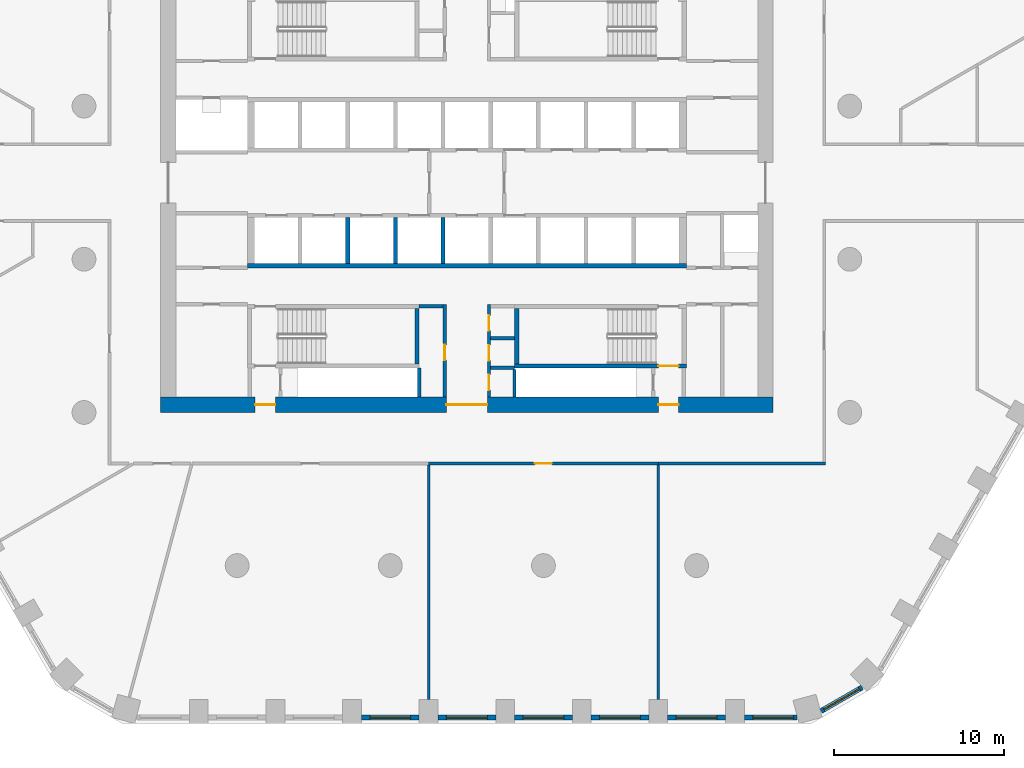
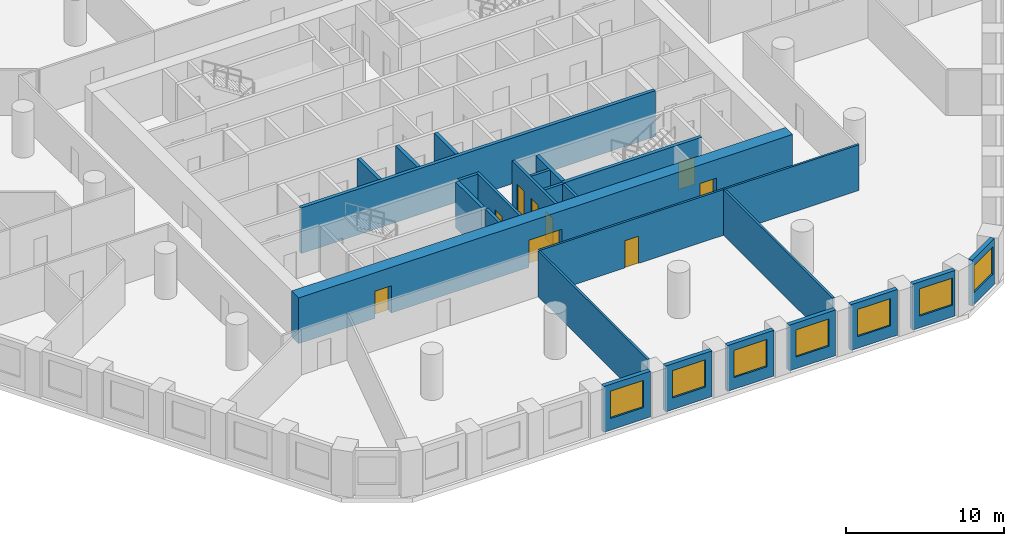
# One storey, part 3 of 10: 26 walls, 9 doors, 7 windows, 16 openings.
"""IFC4 building model written with IfcOpenShell, lengths in metres."""

import ifcopenshell
import ifcopenshell.guid

model = None  # the IFC model being written
_history = None  # IfcOwnerHistory: only IFC2X3 demands one
_inside = {}  # id of a spatial element -> (the spatial element, [elements in it])
_under = {}  # id of a project, library or spatial element -> (it, [spatial elements below it])
_declared = {}  # id of a project -> (the project, [libraries it declares])
_typed = {}  # id of a type object -> (the type object, [elements of that type])
_made_of = {}  # id of a material, layer set ... -> (it, [elements and type objects made of it])


def new_model(schema):
    """Start an empty IFC model of exactly this schema.

    Asked for "IFC4X3", IfcOpenShell would pick the latest addendum, in which some entities
    have other attributes; the version numbers below select the first issue.
    IFC2X3 requires an IfcOwnerHistory on every rooted entity: one is made here for all.
    """
    global model, _history
    if schema == "IFC4X3":
        model = ifcopenshell.file(schema_version=(4, 3, 0, 0))
    else:
        model = ifcopenshell.file(schema=schema)
    _inside.clear()
    _under.clear()
    _declared.clear()
    _typed.clear()
    _made_of.clear()
    _history = None
    if model.schema == "IFC2X3":
        org = make("IfcOrganization", Name="unknown")
        user = make(
            "IfcPersonAndOrganization",
            ThePerson=make("IfcPerson", FamilyName="unknown"),
            TheOrganization=org,
        )
        app = make(
            "IfcApplication",
            ApplicationDeveloper=org,
            Version="unknown",
            ApplicationFullName="unknown",
            ApplicationIdentifier="unknown",
        )
        _history = make(
            "IfcOwnerHistory",
            OwningUser=user,
            OwningApplication=app,
            ChangeAction="ADDED",
            CreationDate=0,
        )
    return model


def make(cls, **values):
    """One entity of the class cls with the attributes given. An attribute that is None is left unset."""
    return model.create_entity(
        cls, **{name: value for name, value in values.items() if value is not None}
    )


def rooted(cls, **values):
    """An entity with a GlobalId (a new one), such as an element, a storey or a relation."""
    return make(cls, GlobalId=ifcopenshell.guid.new(), OwnerHistory=_history, **values)


def si_unit(unit_type, name, prefix=None):
    """IfcSIUnit, for example si_unit("LENGTHUNIT", "METRE", prefix="MILLI")."""
    return make("IfcSIUnit", UnitType=unit_type, Prefix=prefix, Name=name)


def assignment(units):
    """IfcUnitAssignment: the units of a project."""
    return None if units is None else make("IfcUnitAssignment", Units=units)


def point(xyz):
    """IfcCartesianPoint."""
    return None if xyz is None else make("IfcCartesianPoint", Coordinates=xyz)


def direction(xyz):
    """IfcDirection."""
    return None if xyz is None else make("IfcDirection", DirectionRatios=xyz)


def frame(location, z_axis=None, x_axis=None):
    """IfcAxis2Placement3D, a coordinate frame: its origin and axes. An axis left out is left unset."""
    return make(
        "IfcAxis2Placement3D",
        Location=point(location),
        Axis=direction(z_axis),
        RefDirection=direction(x_axis),
    )


def frame_2d(location, x_axis=None):
    """IfcAxis2Placement2D, a coordinate frame in the plane: its origin and x axis."""
    return make(
        "IfcAxis2Placement2D", Location=point(location), RefDirection=direction(x_axis)
    )


def origin():
    """The frame at (0, 0, 0) with its axes left unset."""
    return frame((0.0, 0.0, 0.0))


def place(relative_to, where):
    """IfcLocalPlacement: puts the frame where relative to a parent placement (None: the world)."""
    return make(
        "IfcLocalPlacement", PlacementRelTo=relative_to, RelativePlacement=where
    )


def context(
    kind, dimensions, precision=None, world=None, true_north=None, identifier=None
):
    """IfcGeometricRepresentationContext, for example the 3D "Model" context."""
    return make(
        "IfcGeometricRepresentationContext",
        ContextIdentifier=identifier,
        ContextType=kind,
        CoordinateSpaceDimension=dimensions,
        Precision=precision,
        WorldCoordinateSystem=world,
        TrueNorth=true_north,
    )


def subcontext(parent, identifier, kind, view, scale=None):
    """IfcGeometricRepresentationSubContext, for example "Body" below "Model"."""
    return make(
        "IfcGeometricRepresentationSubContext",
        ContextIdentifier=identifier,
        ContextType=kind,
        ParentContext=parent,
        TargetScale=scale,
        TargetView=view,
    )


def project(units=None, contexts=None):
    """IfcProject with its units and contexts."""
    return rooted(
        "IfcProject",
        Name="project",
        RepresentationContexts=contexts,
        UnitsInContext=assignment(units),
    )


def spatial(cls, under=None, at=None, **own):
    """A site, building, storey or space (cls), placed at a placement, below another one or the project."""
    s = rooted(cls, ObjectPlacement=at, **own)
    if under is not None:
        _under.setdefault(under.id(), (under, []))[1].append(s)
    return s


def polyline(points):
    """IfcPolyline through the points."""
    return make("IfcPolyline", Points=[point(p) for p in points])


def profile(cls, at=None, kind="AREA", **sizes):
    """A parametric profile (cls). Its sizes go by their IFC names, for example OverallWidth=200.0."""
    return make(cls, ProfileType=kind, Position=at, **sizes)


def rectangle(**sizes):
    """IfcRectangleProfileDef."""
    return profile("IfcRectangleProfileDef", **sizes)


def outline(outer, holes=None, kind="AREA"):
    """IfcArbitraryClosedProfileDef: a profile drawn as a closed curve; with holes, ...WithVoids."""
    if holes is None:
        return make("IfcArbitraryClosedProfileDef", ProfileType=kind, OuterCurve=outer)
    return make(
        "IfcArbitraryProfileDefWithVoids",
        ProfileType=kind,
        OuterCurve=outer,
        InnerCurves=holes,
    )


def extrude(swept, where, along, depth):
    """IfcExtrudedAreaSolid: the profile swept, set in the frame where, extruded along a direction by depth."""
    return make(
        "IfcExtrudedAreaSolid",
        SweptArea=swept,
        Position=where,
        ExtrudedDirection=direction(along),
        Depth=depth,
    )


def shape(context_of_items, identifier, shape_type, items):
    """IfcShapeRepresentation: the items that make up one representation, for example the "Body"."""
    return make(
        "IfcShapeRepresentation",
        ContextOfItems=context_of_items,
        RepresentationIdentifier=identifier,
        RepresentationType=shape_type,
        Items=items,
    )


def material(Name=None, Category=None):
    """IfcMaterial."""
    return make("IfcMaterial", Name=Name, Category=Category)


def layer(
    of_material, thickness, ventilated=None, Name=None, Category=None, Priority=None
):
    """IfcMaterialLayer: one layer of a wall or slab, of a material (None: an air gap)."""
    return make(
        "IfcMaterialLayer",
        Material=of_material,
        LayerThickness=thickness,
        IsVentilated=ventilated,
        Name=Name,
        Category=Category,
        Priority=Priority,
    )


def layer_set(layers, Name=None):
    """IfcMaterialLayerSet."""
    return make("IfcMaterialLayerSet", MaterialLayers=layers, LayerSetName=Name)


def made_of(thing, what):
    """Note that an element or type object is made of a material, layer set ...; save() writes the relation."""
    if what is not None:
        _made_of.setdefault(what.id(), (what, []))[1].append(thing)
    return thing


def type_object(cls, material=None, **own):
    """A type object (cls), such as IfcWallType, which elements share."""
    return made_of(rooted(cls, **own), material)


def element(
    cls,
    number,
    at=None,
    inside=None,
    cuts=None,
    type_object=None,
    material=None,
    context=None,
    identifier="Body",
    shape_type=None,
    held_by="IfcProductDefinitionShape",
    body=None,
    shapes=None,
    **own,
):
    """One element of the class cls, such as IfcWall. Its Tag is "e" and its number.

    at: its placement. inside: the storey or other place that contains it. cuts: it is an
    opening in that element (IfcRelVoidsElement). A single representation is given by context,
    identifier, shape_type and body (its items); several are given by shapes. held_by: the class
    of the entity that holds the representations. save() writes the other relations.
    """
    e = rooted(cls, Tag="e%d" % number, ObjectPlacement=at, **own)
    if body is not None:
        shapes = [shape(context, identifier, shape_type, body)]
    if shapes is not None:
        e.Representation = make(held_by, Representations=shapes)
    if inside is not None:
        _inside.setdefault(inside.id(), (inside, []))[1].append(e)
    if cuts is not None:
        rooted(
            "IfcRelVoidsElement", RelatingBuildingElement=cuts, RelatedOpeningElement=e
        )
    if type_object is not None:
        _typed.setdefault(type_object.id(), (type_object, []))[1].append(e)
    return made_of(e, material)


def fill(opening, filler):
    """IfcRelFillsElement: the door or window that sits in an opening."""
    return rooted(
        "IfcRelFillsElement",
        RelatingOpeningElement=opening,
        RelatedBuildingElement=filler,
    )


def aggregate(whole, parts):
    """IfcRelAggregates: a whole, such as a stair, and the parts it consists of."""
    return rooted("IfcRelAggregates", RelatingObject=whole, RelatedObjects=parts)


def save(model, path):
    """Write the relations noted so far, then the file.

    IfcRelAggregates (storeys below a building ...), IfcRelContainedInSpatialStructure (elements
    in a storey), IfcRelDefinesByType, IfcRelAssociatesMaterial and IfcRelDeclares: one each for
    every whole, place, type object, material and project.
    """
    for whole, parts in _under.values():
        aggregate(whole, parts)
    for where, things in _inside.values():
        rooted(
            "IfcRelContainedInSpatialStructure",
            RelatedElements=things,
            RelatingStructure=where,
        )
    for kind, things in _typed.values():
        rooted("IfcRelDefinesByType", RelatedObjects=things, RelatingType=kind)
    for what, things in _made_of.values():
        rooted("IfcRelAssociatesMaterial", RelatedObjects=things, RelatingMaterial=what)
    for by, libraries in _declared.values():
        rooted("IfcRelDeclares", RelatingContext=by, RelatedDefinitions=libraries)
    model.write(path)


model = new_model("IFC4")

# Units and contexts
model_context = context("Model", 3, precision=1e-05, world=origin(), true_north=direction((0.0, 1.0)))
body_context = subcontext(model_context, "Body", "Model", "MODEL_VIEW")
ifc_project = project(units=[si_unit("LENGTHUNIT", "METRE"), si_unit("AREAUNIT", "SQUARE_METRE"), si_unit("VOLUMEUNIT", "CUBIC_METRE"), si_unit("PLANEANGLEUNIT", "RADIAN"), si_unit("MASSUNIT", "GRAM", prefix="KILO")], contexts=[model_context])

# Site, building, storey
site_placement = place(None, origin())
site = spatial("IfcSite", under=ifc_project, at=site_placement, CompositionType="ELEMENT")
building_placement = place(site_placement, origin())
building = spatial("IfcBuilding", under=site, at=building_placement, Name="Dhurran Vertical Campus", CompositionType="ELEMENT")
storey_placement = place(building_placement, frame((0.0, 0.0, 33.89990234375)))
storey = spatial("IfcBuildingStorey", under=building, at=storey_placement, Name="L07", CompositionType="ELEMENT", Elevation=33.89990234375)

# Wall, opening, window
ifc_material_1 = material(Name="Precast concrete C50/60", Category="concrete")
ifc_layer_1 = layer(ifc_material_1, 0.300048828125)
ifc_layer_set_1 = layer_set([ifc_layer_1], Name="Precast concrete C50/60")
wall_type_1 = type_object("IfcWallType", Name="Precast spandrel wall 300", PredefinedType="SOLIDWALL", material=ifc_layer_set_1)
wall_1_placement = place(storey_placement, frame((-6.199462890625, -31.4296875, 0.0), z_axis=(0.0, 0.0, 1.0), x_axis=(1.0, 0.0, 0.0)))
wall_1 = element("IfcWall", 1, at=wall_1_placement, inside=storey, type_object=wall_type_1, Name="EW1 L07.03", PredefinedType="SOLIDWALL", context=body_context, shape_type="SweptSolid", body=[
    extrude(rectangle(XDim=3.39892578125, YDim=0.300048828125, at=frame_2d((1.699462890625, 0.0))), origin(), (0.0, 0.0, 1.0), 3.525146484375),
])
opening_1_placement = place(wall_1_placement, frame((0.49951171875, 0.0, 0.89990234375)))
opening_1 = element("IfcOpeningElement", 2, at=opening_1_placement, cuts=wall_1, Name="Opening WT1", PredefinedType="OPENING", context=body_context, shape_type="SweptSolid", body=[
    extrude(rectangle(XDim=2.39990234375, YDim=2.10009765625, at=frame_2d((1.199951171875, 1.050048828125))), frame((0.0, 0.159912109375, 0.0), z_axis=(0.0, -1.0, 0.0), x_axis=(1.0, 0.0, 0.0)), (0.0, 0.0, 1.0), 0.320068359375),
])
ifc_material_2 = material(Name="Aluminium frame with solar-control glass", Category="aluminium")
window_type = type_object("IfcWindowType", Name="Punched window 2400 x 2100", PartitioningType="SINGLE_PANEL", PredefinedType="WINDOW", material=ifc_material_2)
window_1_placement = place(opening_1_placement, origin())
window_1 = element("IfcWindow", 3, at=window_1_placement, inside=storey, type_object=window_type, Name="WT1 L07.03", OverallHeight=2.10009765625, OverallWidth=2.39990234375, PartitioningType="SINGLE_PANEL", PredefinedType="WINDOW", context=body_context, shape_type="SweptSolid", body=[
    extrude(rectangle(XDim=2.39990234375, YDim=2.10009765625, at=frame_2d((1.199951171875, 1.050048828125))), frame((0.0, 0.030029296875, 0.0), z_axis=(0.0, -1.0, 0.0), x_axis=(1.0, 0.0, 0.0)), (0.0, 0.0, 1.0), 0.06005859375),
])
fill(opening_1, window_1)

wall_2_placement = place(storey_placement, frame((-1.699462890625, -31.4296875, 0.0), z_axis=(0.0, 0.0, 1.0), x_axis=(1.0, 0.0, 0.0)))
wall_2 = element("IfcWall", 4, at=wall_2_placement, inside=storey, type_object=wall_type_1, Name="EW1 L07.04", PredefinedType="SOLIDWALL", context=body_context, shape_type="SweptSolid", body=[
    extrude(rectangle(XDim=3.39892578125, YDim=0.300048828125, at=frame_2d((1.699462890625, 0.0))), origin(), (0.0, 0.0, 1.0), 3.525146484375),
])
opening_2_placement = place(wall_2_placement, frame((0.49951171875, 0.0, 0.89990234375)))
opening_2 = element("IfcOpeningElement", 5, at=opening_2_placement, cuts=wall_2, Name="Opening WT1", PredefinedType="OPENING", context=body_context, shape_type="SweptSolid", body=[
    extrude(rectangle(XDim=2.39990234375, YDim=2.10009765625, at=frame_2d((1.199951171875, 1.050048828125))), frame((0.0, 0.159912109375, 0.0), z_axis=(0.0, -1.0, 0.0), x_axis=(1.0, 0.0, 0.0)), (0.0, 0.0, 1.0), 0.320068359375),
])
window_2_placement = place(opening_2_placement, origin())
window_2 = element("IfcWindow", 6, at=window_2_placement, inside=storey, type_object=window_type, Name="WT1 L07.04", OverallHeight=2.10009765625, OverallWidth=2.39990234375, PartitioningType="SINGLE_PANEL", PredefinedType="WINDOW", context=body_context, shape_type="SweptSolid", body=[
    extrude(rectangle(XDim=2.39990234375, YDim=2.10009765625, at=frame_2d((1.199951171875, 1.050048828125))), frame((0.0, 0.030029296875, 0.0), z_axis=(0.0, -1.0, 0.0), x_axis=(1.0, 0.0, 0.0)), (0.0, 0.0, 1.0), 0.06005859375),
])
fill(opening_2, window_2)

wall_3_placement = place(storey_placement, frame((2.800537109375, -31.4296875, 0.0), z_axis=(0.0, 0.0, 1.0), x_axis=(1.0, 0.0, 0.0)))
wall_3 = element("IfcWall", 7, at=wall_3_placement, inside=storey, type_object=wall_type_1, Name="EW1 L07.05", PredefinedType="SOLIDWALL", context=body_context, shape_type="SweptSolid", body=[
    extrude(rectangle(XDim=3.39892578125, YDim=0.300048828125, at=frame_2d((1.699462890625, 0.0))), origin(), (0.0, 0.0, 1.0), 3.525146484375),
])
opening_3_placement = place(wall_3_placement, frame((0.49951171875, 0.0, 0.89990234375)))
opening_3 = element("IfcOpeningElement", 8, at=opening_3_placement, cuts=wall_3, Name="Opening WT1", PredefinedType="OPENING", context=body_context, shape_type="SweptSolid", body=[
    extrude(rectangle(XDim=2.39990234375, YDim=2.10009765625, at=frame_2d((1.199951171875, 1.050048828125))), frame((0.0, 0.159912109375, 0.0), z_axis=(0.0, -1.0, 0.0), x_axis=(1.0, 0.0, 0.0)), (0.0, 0.0, 1.0), 0.320068359375),
])
window_3_placement = place(opening_3_placement, origin())
window_3 = element("IfcWindow", 9, at=window_3_placement, inside=storey, type_object=window_type, Name="WT1 L07.05", OverallHeight=2.10009765625, OverallWidth=2.39990234375, PartitioningType="SINGLE_PANEL", PredefinedType="WINDOW", context=body_context, shape_type="SweptSolid", body=[
    extrude(rectangle(XDim=2.39990234375, YDim=2.10009765625, at=frame_2d((1.199951171875, 1.050048828125))), frame((0.0, 0.030029296875, 0.0), z_axis=(0.0, -1.0, 0.0), x_axis=(1.0, 0.0, 0.0)), (0.0, 0.0, 1.0), 0.06005859375),
])
fill(opening_3, window_3)

wall_4_placement = place(storey_placement, frame((7.300537109375, -31.4296875, 0.0), z_axis=(0.0, 0.0, 1.0), x_axis=(1.0, 0.0, 0.0)))
wall_4 = element("IfcWall", 10, at=wall_4_placement, inside=storey, type_object=wall_type_1, Name="EW1 L07.06", PredefinedType="SOLIDWALL", context=body_context, shape_type="SweptSolid", body=[
    extrude(rectangle(XDim=3.39892578125, YDim=0.300048828125, at=frame_2d((1.699462890625, 0.0))), origin(), (0.0, 0.0, 1.0), 3.525146484375),
])
opening_4_placement = place(wall_4_placement, frame((0.49951171875, 0.0, 0.89990234375)))
opening_4 = element("IfcOpeningElement", 11, at=opening_4_placement, cuts=wall_4, Name="Opening WT1", PredefinedType="OPENING", context=body_context, shape_type="SweptSolid", body=[
    extrude(rectangle(XDim=2.39990234375, YDim=2.10009765625, at=frame_2d((1.199951171875, 1.050048828125))), frame((0.0, 0.159912109375, 0.0), z_axis=(0.0, -1.0, 0.0), x_axis=(1.0, 0.0, 0.0)), (0.0, 0.0, 1.0), 0.320068359375),
])
window_4_placement = place(opening_4_placement, origin())
window_4 = element("IfcWindow", 12, at=window_4_placement, inside=storey, type_object=window_type, Name="WT1 L07.06", OverallHeight=2.10009765625, OverallWidth=2.39990234375, PartitioningType="SINGLE_PANEL", PredefinedType="WINDOW", context=body_context, shape_type="SweptSolid", body=[
    extrude(rectangle(XDim=2.39990234375, YDim=2.10009765625, at=frame_2d((1.199951171875, 1.050048828125))), frame((0.0, 0.030029296875, 0.0), z_axis=(0.0, -1.0, 0.0), x_axis=(1.0, 0.0, 0.0)), (0.0, 0.0, 1.0), 0.06005859375),
])
fill(opening_4, window_4)

wall_5_placement = place(storey_placement, frame((11.800537109375, -31.4296875, 0.0), z_axis=(0.0, 0.0, 1.0), x_axis=(1.0, 0.0, 0.0)))
wall_5 = element("IfcWall", 13, at=wall_5_placement, inside=storey, type_object=wall_type_1, Name="EW1 L07.07", PredefinedType="SOLIDWALL", context=body_context, shape_type="SweptSolid", body=[
    extrude(rectangle(XDim=3.39892578125, YDim=0.300048828125, at=frame_2d((1.699462890625, 0.0))), origin(), (0.0, 0.0, 1.0), 3.525146484375),
])
opening_5_placement = place(wall_5_placement, frame((0.49951171875, 0.0, 0.89990234375)))
opening_5 = element("IfcOpeningElement", 14, at=opening_5_placement, cuts=wall_5, Name="Opening WT1", PredefinedType="OPENING", context=body_context, shape_type="SweptSolid", body=[
    extrude(rectangle(XDim=2.39990234375, YDim=2.10009765625, at=frame_2d((1.199951171875, 1.050048828125))), frame((0.0, 0.159912109375, 0.0), z_axis=(0.0, -1.0, 0.0), x_axis=(1.0, 0.0, 0.0)), (0.0, 0.0, 1.0), 0.320068359375),
])
window_5_placement = place(opening_5_placement, origin())
window_5 = element("IfcWindow", 15, at=window_5_placement, inside=storey, type_object=window_type, Name="WT1 L07.07", OverallHeight=2.10009765625, OverallWidth=2.39990234375, PartitioningType="SINGLE_PANEL", PredefinedType="WINDOW", context=body_context, shape_type="SweptSolid", body=[
    extrude(rectangle(XDim=2.39990234375, YDim=2.10009765625, at=frame_2d((1.199951171875, 1.050048828125))), frame((0.0, 0.030029296875, 0.0), z_axis=(0.0, -1.0, 0.0), x_axis=(1.0, 0.0, 0.0)), (0.0, 0.0, 1.0), 0.06005859375),
])
fill(opening_5, window_5)

wall_6_placement = place(storey_placement, frame((16.300537109375, -31.4296875, 0.0), z_axis=(0.0, 0.0, 1.0), x_axis=(1.0, 0.0, 0.0)))
wall_6 = element("IfcWall", 16, at=wall_6_placement, inside=storey, type_object=wall_type_1, Name="EW1 L07.08", PredefinedType="SOLIDWALL", context=body_context, shape_type="SweptSolid", body=[
    extrude(rectangle(XDim=3.090576171875, YDim=0.300048828125, at=frame_2d((1.54541015625, 0.0))), origin(), (0.0, 0.0, 1.0), 3.525146484375),
])
opening_6_placement = place(wall_6_placement, frame((0.49951171875, 0.0, 0.89990234375)))
opening_6 = element("IfcOpeningElement", 17, at=opening_6_placement, cuts=wall_6, Name="Opening WT1", PredefinedType="OPENING", context=body_context, shape_type="SweptSolid", body=[
    extrude(rectangle(XDim=2.39990234375, YDim=2.10009765625, at=frame_2d((1.199951171875, 1.050048828125))), frame((0.0, 0.159912109375, 0.0), z_axis=(0.0, -1.0, 0.0), x_axis=(1.0, 0.0, 0.0)), (0.0, 0.0, 1.0), 0.320068359375),
])
window_6_placement = place(opening_6_placement, origin())
window_6 = element("IfcWindow", 18, at=window_6_placement, inside=storey, type_object=window_type, Name="WT1 L07.08", OverallHeight=2.10009765625, OverallWidth=2.39990234375, PartitioningType="SINGLE_PANEL", PredefinedType="WINDOW", context=body_context, shape_type="SweptSolid", body=[
    extrude(rectangle(XDim=2.39990234375, YDim=2.10009765625, at=frame_2d((1.199951171875, 1.050048828125))), frame((0.0, 0.030029296875, 0.0), z_axis=(0.0, -1.0, 0.0), x_axis=(1.0, 0.0, 0.0)), (0.0, 0.0, 1.0), 0.06005859375),
])
fill(opening_6, window_6)

wall_7_placement = place(storey_placement, frame((20.81884765625, -31.047119140625, 0.0), z_axis=(0.0, 0.0, 1.0), x_axis=(0.866020456713, 0.500008568482, 0.0)))
wall_7 = element("IfcWall", 19, at=wall_7_placement, inside=storey, type_object=wall_type_1, Name="EW1 L07.09", PredefinedType="SOLIDWALL", context=body_context, shape_type="SweptSolid", body=[
    extrude(rectangle(XDim=2.7822265625, YDim=0.300048828125, at=frame_2d((1.39111328125, 0.0))), origin(), (0.0, 0.0, 1.0), 3.525146484375),
])
opening_7_placement = place(wall_7_placement, frame((0.191162109375, 0.0, 0.89990234375)))
opening_7 = element("IfcOpeningElement", 20, at=opening_7_placement, cuts=wall_7, Name="Opening WT1", PredefinedType="OPENING", context=body_context, shape_type="SweptSolid", body=[
    extrude(rectangle(XDim=2.39990234375, YDim=2.10009765625, at=frame_2d((1.199951171875, 1.050048828125))), frame((0.0, 0.159912109375, 0.0), z_axis=(0.0, -1.0, 0.0), x_axis=(1.0, 0.0, 0.0)), (0.0, 0.0, 1.0), 0.320068359375),
])
window_7_placement = place(opening_7_placement, origin())
window_7 = element("IfcWindow", 21, at=window_7_placement, inside=storey, type_object=window_type, Name="WT1 L07.09", OverallHeight=2.10009765625, OverallWidth=2.39990234375, PartitioningType="SINGLE_PANEL", PredefinedType="WINDOW", context=body_context, shape_type="SweptSolid", body=[
    extrude(rectangle(XDim=2.39990234375, YDim=2.10009765625, at=frame_2d((1.199951171875, 1.050048828125))), frame((0.0, 0.030029296875, 0.0), z_axis=(0.0, -1.0, 0.0), x_axis=(1.0, 0.0, 0.0)), (0.0, 0.0, 1.0), 0.06005859375),
])
fill(opening_7, window_7)

# Wall, openings, doors
ifc_material_3 = material(Name="Concrete C60/75", Category="concrete")
ifc_layer_2 = layer(ifc_material_3, 0.89990234375)
ifc_layer_set_2 = layer_set([ifc_layer_2], Name="Concrete C60/75")
wall_type_2 = type_object("IfcWallType", Name="co-CORE-WALL-C0-900", PredefinedType="SHEAR", material=ifc_layer_set_2)
wall_8_placement = place(storey_placement, frame((-18.0, -13.050048828125, 0.0), z_axis=(0.0, 0.0, 1.0), x_axis=(1.0, 0.0, 0.0)))
wall_8 = element("IfcWall", 22, at=wall_8_placement, inside=storey, type_object=wall_type_2, Name="Core wall S L07", PredefinedType="SHEAR", context=body_context, shape_type="SweptSolid", body=[
    extrude(rectangle(XDim=36.0, YDim=0.89990234375, at=frame_2d((18.0, 0.0))), origin(), (0.0, 0.0, 1.0), 3.525146484375),
])
opening_8_placement = place(wall_8_placement, frame((16.800048828125, 0.0, 0.0)))
opening_8 = element("IfcOpeningElement", 23, at=opening_8_placement, cuts=wall_8, Name="Opening CV2", PredefinedType="OPENING", context=body_context, shape_type="SweptSolid", body=[
    extrude(rectangle(XDim=2.39990234375, YDim=2.10009765625, at=frame_2d((1.199951171875, 1.050048828125))), frame((0.0, 0.4599609375, 0.0), z_axis=(0.0, -1.0, 0.0), x_axis=(1.0, 0.0, 0.0)), (0.0, 0.0, 1.0), 0.919921875),
])
opening_9_placement = place(wall_8_placement, frame((5.550048828125, 0.0, 0.0)))
opening_9 = element("IfcOpeningElement", 24, at=opening_9_placement, cuts=wall_8, Name="Opening XD3", PredefinedType="OPENING", context=body_context, shape_type="SweptSolid", body=[
    extrude(rectangle(XDim=1.199951171875, YDim=2.10009765625, at=frame_2d((0.60009765625, 1.050048828125))), frame((0.0, 0.4599609375, 0.0), z_axis=(0.0, -1.0, 0.0), x_axis=(1.0, 0.0, 0.0)), (0.0, 0.0, 1.0), 0.919921875),
])
opening_10_placement = place(wall_8_placement, frame((29.25, 0.0, 0.0)))
opening_10 = element("IfcOpeningElement", 25, at=opening_10_placement, cuts=wall_8, Name="Opening XD4", PredefinedType="OPENING", context=body_context, shape_type="SweptSolid", body=[
    extrude(rectangle(XDim=1.199951171875, YDim=2.10009765625, at=frame_2d((0.60009765625, 1.050048828125))), frame((0.0, 0.4599609375, 0.0), z_axis=(0.0, -1.0, 0.0), x_axis=(1.0, 0.0, 0.0)), (0.0, 0.0, 1.0), 0.919921875),
])
ifc_material_4 = material(Name="Fire-rated glazed door set")
door_type_1 = type_object("IfcDoorType", Name="co-D-LOBBY 2400x2100", OperationType="DOUBLE_DOOR_DOUBLE_SWING", PredefinedType="DOOR", material=ifc_material_4)
door_1_placement = place(opening_8_placement, origin())
door_1 = element("IfcDoor", 26, at=door_1_placement, inside=storey, type_object=door_type_1, Name="Core vestibule door S L07", OperationType="DOUBLE_DOOR_DOUBLE_SWING", OverallHeight=2.10009765625, OverallWidth=2.39990234375, PredefinedType="DOOR", context=body_context, shape_type="SweptSolid", body=[
    extrude(rectangle(XDim=2.39990234375, YDim=2.10009765625, at=frame_2d((1.199951171875, 1.050048828125))), frame((0.0, 0.02490234375, 0.0), z_axis=(0.0, -1.0, 0.0), x_axis=(1.0, 0.0, 0.0)), (0.0, 0.0, 1.0), 0.050048828125),
])
fill(opening_8, door_1)
ifc_material_5 = material(Name="Fire-rated steel door set", Category="steel")
door_type_2 = type_object("IfcDoorType", Name="co-D-STAIR-EXIT 1200x2100", OperationType="SINGLE_SWING_RIGHT", PredefinedType="DOOR", material=ifc_material_5)
door_2_placement = place(opening_9_placement, origin())
door_2 = element("IfcDoor", 27, at=door_2_placement, inside=storey, type_object=door_type_2, Name="Stair ST3 exit door L07", OperationType="SINGLE_SWING_RIGHT", OverallHeight=2.10009765625, OverallWidth=1.199951171875, PredefinedType="DOOR", context=body_context, shape_type="SweptSolid", body=[
    extrude(rectangle(XDim=1.199951171875, YDim=2.10009765625, at=frame_2d((0.60009765625, 1.050048828125))), frame((0.0, 0.02490234375, 0.0), z_axis=(0.0, -1.0, 0.0), x_axis=(1.0, 0.0, 0.0)), (0.0, 0.0, 1.0), 0.050048828125),
])
fill(opening_9, door_2)
door_3_placement = place(opening_10_placement, origin())
door_3 = element("IfcDoor", 28, at=door_3_placement, inside=storey, type_object=door_type_2, Name="Stair ST4 exit door L07", OperationType="SINGLE_SWING_RIGHT", OverallHeight=2.10009765625, OverallWidth=1.199951171875, PredefinedType="DOOR", context=body_context, shape_type="SweptSolid", body=[
    extrude(rectangle(XDim=1.199951171875, YDim=2.10009765625, at=frame_2d((0.60009765625, 1.050048828125))), frame((0.0, 0.02490234375, 0.0), z_axis=(0.0, -1.0, 0.0), x_axis=(1.0, 0.0, 0.0)), (0.0, 0.0, 1.0), 0.050048828125),
])
fill(opening_10, door_3)

# Walls
ifc_material_6 = material(Name="Fire-rated masonry blockwork", Category="masonry")
ifc_layer_3 = layer(ifc_material_6, 0.199951171875)
ifc_layer_set_3 = layer_set([ifc_layer_3], Name="Fire-rated masonry blockwork")
wall_type_3 = type_object("IfcWallType", Name="co-FIRE-PARTITION-200", PredefinedType="PARTITIONING", material=ifc_layer_set_3)
for number, where, z_axis, x_axis, name in (
    (29, (-2.800048828125, -7.25, 0.0), (0.0, 0.0, 1.0), (1.0, 0.0, 0.0), "Core partition sl-SW-S L07"),
    (30, (1.39990234375, -9.135009765625, 0.0), (0.0, 0.0, 1.0), (1.0, 0.0, 0.0), "Core partition sl-SE-cut0 L07"),
    (31, (1.39990234375, -10.867431640625, 0.0), (0.0, 0.0, 1.0), (1.0, 0.0, 0.0), "Core partition sl-SE-cut1 L07"),
):
    element("IfcWall", number, at=place(storey_placement, frame(where, z_axis=z_axis, x_axis=x_axis)), inside=storey, type_object=wall_type_3, Name=name, PredefinedType="PARTITIONING", context=body_context, shape_type="SweptSolid", body=[
        extrude(rectangle(XDim=1.400146484375, YDim=0.199951171875, at=frame_2d((0.7001953125, 0.0))), origin(), (0.0, 0.0, 1.0), 3.525146484375),
    ])

# Wall, opening, door
wall_9_placement = place(storey_placement, frame((-1.300048828125, -12.60009765625, 0.0), z_axis=(0.0, 0.0, 1.0), x_axis=(0.0, 1.0, 0.0)))
wall_9 = element("IfcWall", 32, at=wall_9_placement, inside=storey, type_object=wall_type_3, Name="Core partition vest-SW L07", PredefinedType="PARTITIONING", context=body_context, shape_type="SweptSolid", body=[
    extrude(rectangle(XDim=5.4501953125, YDim=0.199951171875, at=frame_2d((2.72509765625, 0.0))), origin(), (0.0, 0.0, 1.0), 3.525146484375),
])
opening_11_placement = place(wall_9_placement, frame((2.175048828125, 0.0, 0.0)))
opening_11 = element("IfcOpeningElement", 33, at=opening_11_placement, cuts=wall_9, Name="Opening T01-C1", PredefinedType="OPENING", context=body_context, shape_type="SweptSolid", body=[
    extrude(rectangle(XDim=0.89990234375, YDim=2.10009765625, at=frame_2d((0.449951171875, 1.050048828125))), frame((0.0, 0.10986328125, 0.0), z_axis=(0.0, -1.0, 0.0), x_axis=(1.0, 0.0, 0.0)), (0.0, 0.0, 1.0), 0.219970703125),
])
ifc_material_7 = material(Name="Fire-rated timber door set", Category="wood")
door_type_3 = type_object("IfcDoorType", Name="co-D-ROOM 900x2100", OperationType="SINGLE_SWING_LEFT", PredefinedType="DOOR", material=ifc_material_7)
door_4_placement = place(opening_11_placement, origin())
door_4 = element("IfcDoor", 34, at=door_4_placement, inside=storey, type_object=door_type_3, Name="Fire equipment store door L07", OperationType="SINGLE_SWING_LEFT", OverallHeight=2.10009765625, OverallWidth=0.89990234375, PredefinedType="DOOR", context=body_context, shape_type="SweptSolid", body=[
    extrude(rectangle(XDim=0.89990234375, YDim=2.10009765625, at=frame_2d((0.449951171875, 1.050048828125))), frame((0.0, 0.02490234375, 0.0), z_axis=(0.0, -1.0, 0.0), x_axis=(1.0, 0.0, 0.0)), (0.0, 0.0, 1.0), 0.050048828125),
])
fill(opening_11, door_4)

# Wall, openings, doors
wall_10_placement = place(storey_placement, frame((1.300048828125, -12.60009765625, 0.0), z_axis=(0.0, 0.0, 1.0), x_axis=(0.0, 1.0, 0.0)))
wall_10 = element("IfcWall", 35, at=wall_10_placement, inside=storey, type_object=wall_type_3, Name="Core partition vest-SE L07", PredefinedType="PARTITIONING", context=body_context, shape_type="SweptSolid", body=[
    extrude(rectangle(XDim=5.4501953125, YDim=0.199951171875, at=frame_2d((2.72509765625, 0.0))), origin(), (0.0, 0.0, 1.0), 3.525146484375),
])
opening_12_placement = place(wall_10_placement, frame((0.416259765625, 0.0, 0.0)))
opening_12 = element("IfcOpeningElement", 36, at=opening_12_placement, cuts=wall_10, Name="Opening T01-C2", PredefinedType="OPENING", context=body_context, shape_type="SweptSolid", body=[
    extrude(rectangle(XDim=0.89990234375, YDim=2.10009765625, at=frame_2d((0.449951171875, 1.050048828125))), frame((0.0, 0.10986328125, 0.0), z_axis=(0.0, -1.0, 0.0), x_axis=(1.0, 0.0, 0.0)), (0.0, 0.0, 1.0), 0.219970703125),
])
opening_13_placement = place(wall_10_placement, frame((2.148681640625, 0.0, 0.0)))
opening_13 = element("IfcOpeningElement", 37, at=opening_13_placement, cuts=wall_10, Name="Opening T01-C3", PredefinedType="OPENING", context=body_context, shape_type="SweptSolid", body=[
    extrude(rectangle(XDim=0.89990234375, YDim=2.10009765625, at=frame_2d((0.449951171875, 1.050048828125))), frame((0.0, 0.10986328125, 0.0), z_axis=(0.0, -1.0, 0.0), x_axis=(1.0, 0.0, 0.0)), (0.0, 0.0, 1.0), 0.219970703125),
])
opening_14_placement = place(wall_10_placement, frame((3.907470703125, 0.0, 0.0)))
opening_14 = element("IfcOpeningElement", 38, at=opening_14_placement, cuts=wall_10, Name="Opening T01-C4", PredefinedType="OPENING", context=body_context, shape_type="SweptSolid", body=[
    extrude(rectangle(XDim=0.89990234375, YDim=2.10009765625, at=frame_2d((0.449951171875, 1.050048828125))), frame((0.0, 0.10986328125, 0.0), z_axis=(0.0, -1.0, 0.0), x_axis=(1.0, 0.0, 0.0)), (0.0, 0.0, 1.0), 0.219970703125),
])
door_5_placement = place(opening_12_placement, origin())
door_5 = element("IfcDoor", 39, at=door_5_placement, inside=storey, type_object=door_type_3, Name="Communications room door L07", OperationType="SINGLE_SWING_LEFT", OverallHeight=2.10009765625, OverallWidth=0.89990234375, PredefinedType="DOOR", context=body_context, shape_type="SweptSolid", body=[
    extrude(rectangle(XDim=0.89990234375, YDim=2.10009765625, at=frame_2d((0.449951171875, 1.050048828125))), frame((0.0, 0.02490234375, 0.0), z_axis=(0.0, -1.0, 0.0), x_axis=(1.0, 0.0, 0.0)), (0.0, 0.0, 1.0), 0.050048828125),
])
fill(opening_12, door_5)
door_6_placement = place(opening_13_placement, origin())
door_6 = element("IfcDoor", 40, at=door_6_placement, inside=storey, type_object=door_type_3, Name="Housekeeping store door L07", OperationType="SINGLE_SWING_LEFT", OverallHeight=2.10009765625, OverallWidth=0.89990234375, PredefinedType="DOOR", context=body_context, shape_type="SweptSolid", body=[
    extrude(rectangle(XDim=0.89990234375, YDim=2.10009765625, at=frame_2d((0.449951171875, 1.050048828125))), frame((0.0, 0.02490234375, 0.0), z_axis=(0.0, -1.0, 0.0), x_axis=(1.0, 0.0, 0.0)), (0.0, 0.0, 1.0), 0.050048828125),
])
fill(opening_13, door_6)
door_7_placement = place(opening_14_placement, origin())
door_7 = element("IfcDoor", 41, at=door_7_placement, inside=storey, type_object=door_type_3, Name="Waste room door L07", OperationType="SINGLE_SWING_LEFT", OverallHeight=2.10009765625, OverallWidth=0.89990234375, PredefinedType="DOOR", context=body_context, shape_type="SweptSolid", body=[
    extrude(rectangle(XDim=0.89990234375, YDim=2.10009765625, at=frame_2d((0.449951171875, 1.050048828125))), frame((0.0, 0.02490234375, 0.0), z_axis=(0.0, -1.0, 0.0), x_axis=(1.0, 0.0, 0.0)), (0.0, 0.0, 1.0), 0.050048828125),
])
fill(opening_14, door_7)

# Walls
wall_11_placement = place(storey_placement, frame((-2.800048828125, -12.59912109375, 0.0), z_axis=(0.0, 0.0, 1.0), x_axis=(0.0, 1.0, 0.0)))
element("IfcWall", 42, at=wall_11_placement, inside=storey, type_object=wall_type_3, Name="Riser enclosure wall L07", PredefinedType="PARTITIONING", context=body_context, shape_type="SweptSolid", body=[
    extrude(rectangle(XDim=1.6982421875, YDim=0.199951171875, at=frame_2d((0.84912109375, 0.0))), origin(), (0.0, 0.0, 1.0), 3.525146484375),
])
wall_12_placement = place(storey_placement, frame((2.800048828125, -10.968505859375, 0.0), z_axis=(0.0, 0.0, 1.0), x_axis=(0.0, -1.0, 0.0)))
element("IfcWall", 43, at=wall_12_placement, inside=storey, type_object=wall_type_3, Name="Riser enclosure wall L07", PredefinedType="PARTITIONING", context=body_context, shape_type="SweptSolid", body=[
    extrude(rectangle(XDim=1.630615234375, YDim=0.199951171875, at=frame_2d((0.8154296875, 0.0))), origin(), (0.0, 0.0, 1.0), 3.525146484375),
])
ifc_material_8 = material(Name="Concrete C50/60", Category="concrete")
ifc_layer_4 = layer(ifc_material_8, 0.25)
ifc_layer_set_4 = layer_set([ifc_layer_4], Name="Concrete C50/60")
wall_type_4 = type_object("IfcWallType", Name="co-SHAFT-MASS-250", PredefinedType="SHEAR", material=ifc_layer_set_4)
wall_13_placement = place(storey_placement, origin())
element("IfcWall", 44, at=wall_13_placement, inside=storey, type_object=wall_type_4, Name="Lift shaft wall S L07 1", PredefinedType="SHEAR", context=body_context, shape_type="SweptSolid", body=[
    extrude(outline(polyline([(-12.89990234375, -5.0), (12.89990234375, -5.0), (12.89990234375, -4.75), (-12.89990234375, -4.75), (-12.89990234375, -5.0)])), origin(), (0.0, 0.0, 1.0), 3.525146484375),
])
wall_14_placement = place(storey_placement, origin())
element("IfcWall", 45, at=wall_14_placement, inside=storey, type_object=wall_type_4, Name="Lift shaft wall S L07 4", PredefinedType="SHEAR", context=body_context, shape_type="SweptSolid", body=[
    extrude(outline(polyline([(-7.125, -4.75), (-6.875, -4.75), (-6.875, -2.050048828125), (-7.125, -2.050048828125), (-7.125, -4.75)])), origin(), (0.0, 0.0, 1.0), 3.525146484375),
])
wall_15_placement = place(storey_placement, origin())
element("IfcWall", 46, at=wall_15_placement, inside=storey, type_object=wall_type_4, Name="Lift shaft wall S L07 5", PredefinedType="SHEAR", context=body_context, shape_type="SweptSolid", body=[
    extrude(outline(polyline([(-4.324951171875, -4.75), (-4.074951171875, -4.75), (-4.074951171875, -2.050048828125), (-4.324951171875, -2.050048828125), (-4.324951171875, -4.75)])), origin(), (0.0, 0.0, 1.0), 3.525146484375),
])
wall_16_placement = place(storey_placement, origin())
element("IfcWall", 47, at=wall_16_placement, inside=storey, type_object=wall_type_4, Name="Lift shaft wall S L07 6", PredefinedType="SHEAR", context=body_context, shape_type="SweptSolid", body=[
    extrude(outline(polyline([(-1.52490234375, -4.75), (-1.27490234375, -4.75), (-1.27490234375, -2.050048828125), (-1.52490234375, -2.050048828125), (-1.52490234375, -4.75)])), origin(), (0.0, 0.0, 1.0), 3.525146484375),
])
ifc_material_9 = material(Name="Concrete C40/50", Category="concrete")
ifc_layer_5 = layer(ifc_material_9, 0.25)
ifc_layer_set_5 = layer_set([ifc_layer_5], Name="Concrete C40/50")
wall_type_5 = type_object("IfcWallType", Name="co-STAIR-WALL-250", PredefinedType="SHEAR", material=ifc_layer_set_5)
wall_17_placement = place(storey_placement, frame((-2.925048828125, -10.64990234375, 0.0), z_axis=(0.0, 0.0, 1.0), x_axis=(0.0, 1.0, 0.0)))
element("IfcWall", 48, at=wall_17_placement, inside=storey, type_object=wall_type_5, Name="Stair ST3 enclosure wall L07", PredefinedType="SHEAR", context=body_context, shape_type="SweptSolid", body=[
    extrude(rectangle(XDim=3.25, YDim=0.25, at=frame_2d((1.625, 0.0))), origin(), (0.0, 0.0, 1.0), 3.525146484375),
])

# Wall, opening, door
wall_18_placement = place(storey_placement, frame((2.800048828125, -10.77490234375, 0.0), z_axis=(0.0, 0.0, 1.0), x_axis=(1.0, 0.0, 0.0)))
wall_18 = element("IfcWall", 49, at=wall_18_placement, inside=storey, type_object=wall_type_5, Name="Stair ST4 enclosure wall L07", PredefinedType="SHEAR", context=body_context, shape_type="SweptSolid", body=[
    extrude(rectangle(XDim=10.099853515625, YDim=0.25, at=frame_2d((5.0498046875, 0.0))), origin(), (0.0, 0.0, 1.0), 3.525146484375),
])
opening_15_placement = place(wall_18_placement, frame((8.449951171875, 0.0, 0.0)))
opening_15 = element("IfcOpeningElement", 50, at=opening_15_placement, cuts=wall_18, Name="Opening XS4", PredefinedType="OPENING", context=body_context, shape_type="SweptSolid", body=[
    extrude(rectangle(XDim=1.199951171875, YDim=2.10009765625, at=frame_2d((0.60009765625, 1.050048828125))), frame((0.0, 0.135009765625, 0.0), z_axis=(0.0, -1.0, 0.0), x_axis=(1.0, 0.0, 0.0)), (0.0, 0.0, 1.0), 0.27001953125),
])
door_8_placement = place(opening_15_placement, origin())
door_8 = element("IfcDoor", 51, at=door_8_placement, inside=storey, type_object=door_type_2, Name="Stair ST4 discharge door L07", OperationType="SINGLE_SWING_RIGHT", OverallHeight=2.10009765625, OverallWidth=1.199951171875, PredefinedType="DOOR", context=body_context, shape_type="SweptSolid", body=[
    extrude(rectangle(XDim=1.199951171875, YDim=2.10009765625, at=frame_2d((0.60009765625, 1.050048828125))), frame((0.0, 0.02490234375, 0.0), z_axis=(0.0, -1.0, 0.0), x_axis=(1.0, 0.0, 0.0)), (0.0, 0.0, 1.0), 0.050048828125),
])
fill(opening_15, door_8)

# Wall
wall_19_placement = place(storey_placement, frame((2.925048828125, -10.64990234375, 0.0), z_axis=(0.0, 0.0, 1.0), x_axis=(0.0, 1.0, 0.0)))
element("IfcWall", 52, at=wall_19_placement, inside=storey, type_object=wall_type_5, Name="Stair ST4 enclosure wall L07", PredefinedType="SHEAR", context=body_context, shape_type="SweptSolid", body=[
    extrude(rectangle(XDim=3.25, YDim=0.25, at=frame_2d((1.625, 0.0))), origin(), (0.0, 0.0, 1.0), 3.525146484375),
])

# Wall, opening, door
ifc_material_10 = material(Name="Gypsum board corridor wall on steel studs", Category="steel")
ifc_layer_6 = layer(ifc_material_10, 0.14990234375)
ifc_layer_set_6 = layer_set([ifc_layer_6], Name="Gypsum board corridor wall on steel studs")
wall_type_6 = type_object("IfcWallType", Name="fl-CW-150 corridor wall", PredefinedType="PARTITIONING", material=ifc_layer_set_6)
wall_20_placement = place(storey_placement, frame((-2.25, -16.5, 0.0), z_axis=(0.0, 0.0, 1.0), x_axis=(1.0, 0.0, 0.0)))
wall_20 = element("IfcWall", 53, at=wall_20_placement, inside=storey, type_object=wall_type_6, Name="Partition 07-28", PredefinedType="PARTITIONING", context=body_context, shape_type="SweptSolid", body=[
    extrude(rectangle(XDim=13.5, YDim=0.14990234375, at=frame_2d((6.75, 0.0))), origin(), (0.0, 0.0, 1.0), 3.525146484375),
])
opening_16_placement = place(wall_20_placement, frame((6.25, 0.0, 0.0)))
opening_16 = element("IfcOpeningElement", 54, at=opening_16_placement, cuts=wall_20, Name="Opening T01.11", PredefinedType="OPENING", context=body_context, shape_type="SweptSolid", body=[
    extrude(rectangle(XDim=1.0, YDim=2.10009765625, at=frame_2d((0.5, 1.050048828125))), frame((0.0, 0.0849609375, 0.0), z_axis=(0.0, -1.0, 0.0), x_axis=(1.0, 0.0, 0.0)), (0.0, 0.0, 1.0), 0.169921875),
])
ifc_material_11 = material(Name="Solid-core timber door set, fire-rated", Category="wood")
door_type_4 = type_object("IfcDoorType", Name="fl-D-1000x2100", OperationType="SINGLE_SWING_LEFT", PredefinedType="DOOR", material=ifc_material_11)
door_9_placement = place(opening_16_placement, origin())
door_9 = element("IfcDoor", 55, at=door_9_placement, inside=storey, type_object=door_type_4, Name="Door 07.11", OperationType="SINGLE_SWING_RIGHT", OverallHeight=2.10009765625, OverallWidth=1.0, PredefinedType="DOOR", context=body_context, shape_type="SweptSolid", body=[
    extrude(rectangle(XDim=1.0, YDim=2.10009765625, at=frame_2d((0.5, 1.050048828125))), frame((0.0, 0.02490234375, 0.0), z_axis=(0.0, -1.0, 0.0), x_axis=(1.0, 0.0, 0.0)), (0.0, 0.0, 1.0), 0.050048828125),
])
fill(opening_16, door_9)

# Walls
wall_21_placement = place(storey_placement, frame((11.25, -16.5, 0.0), z_axis=(0.0, 0.0, 1.0), x_axis=(1.0, 0.0, 0.0)))
element("IfcWall", 56, at=wall_21_placement, inside=storey, type_object=wall_type_6, Name="Partition 07-34", PredefinedType="PARTITIONING", context=body_context, shape_type="SweptSolid", body=[
    extrude(rectangle(XDim=9.824951171875, YDim=0.14990234375, at=frame_2d((4.91259765625, 0.0))), origin(), (0.0, 0.0, 1.0), 3.525146484375),
])
ifc_material_12 = material(Name="Gypsum board partition on steel studs", Category="steel")
ifc_layer_7 = layer(ifc_material_12, 0.14990234375)
ifc_layer_set_7 = layer_set([ifc_layer_7], Name="Gypsum board partition on steel studs")
wall_type_7 = type_object("IfcWallType", Name="fl-PW-150 fixed partition", PredefinedType="PARTITIONING", material=ifc_layer_set_7)
for number, where, z_axis, x_axis, name in (
    (57, (-2.25, -16.574951171875, 0.0), (0.0, 0.0, 1.0), (0.0, -1.0, 0.0), "Partition 07-27"),
    (58, (11.25, -16.574951171875, 0.0), (0.0, 0.0, 1.0), (0.0, -1.0, 0.0), "Partition 07-33"),
):
    element("IfcWall", number, at=place(storey_placement, frame(where, z_axis=z_axis, x_axis=x_axis)), inside=storey, type_object=wall_type_7, Name=name, PredefinedType="PARTITIONING", context=body_context, shape_type="SweptSolid", body=[
        extrude(rectangle(XDim=13.784912109375, YDim=0.14990234375, at=frame_2d((6.892578125, 0.0))), origin(), (0.0, 0.0, 1.0), 3.525146484375),
    ])

save(model, "model.ifc")
